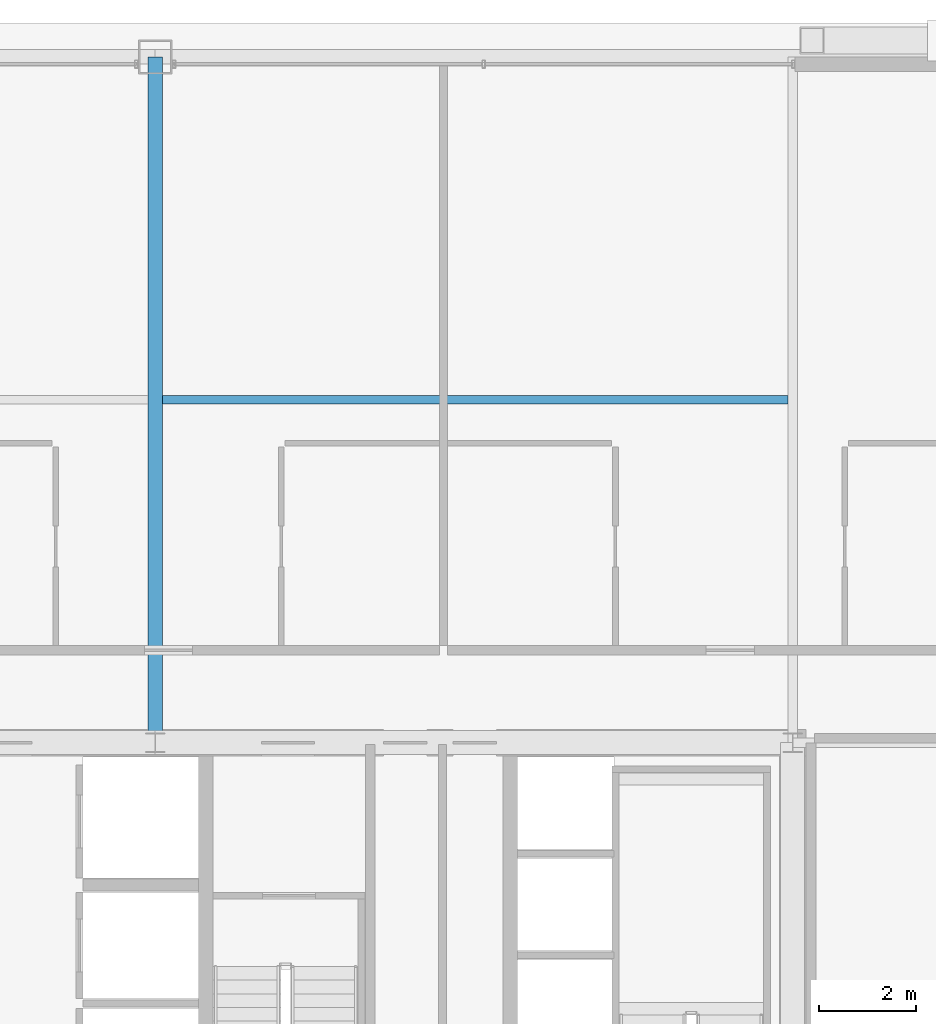
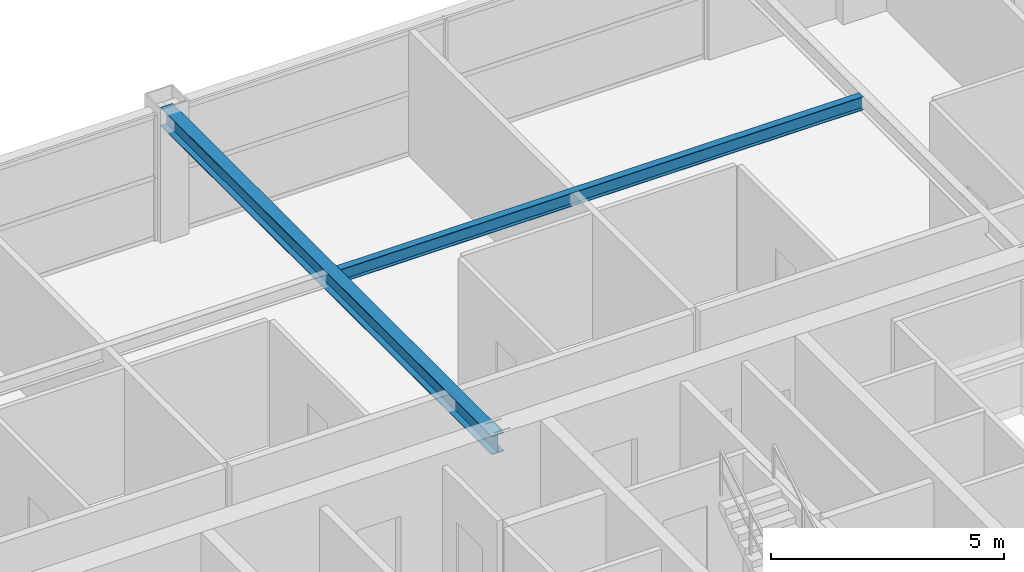
# One storey, part 25 of 34: 2 beams.
"""IFC4 building model written with IfcOpenShell, lengths in metres."""

from ifc_helpers import new_model, si_unit, direction, frame, origin, origin_2d, place, context, subcontext, project, spatial, i_section, extrude, source, transform, mapped, material, material_profile, profile_set, type_object, element, save


model = new_model("IFC4")

# Units and contexts
model_context = context("Model", 3, precision=1e-05, world=origin(), true_north=direction((0.0, 1.0)))
body_context = subcontext(model_context, "Body", "Model", "MODEL_VIEW")
ifc_project = project(units=[si_unit("LENGTHUNIT", "METRE"), si_unit("AREAUNIT", "SQUARE_METRE"), si_unit("VOLUMEUNIT", "CUBIC_METRE"), si_unit("PLANEANGLEUNIT", "RADIAN"), si_unit("MASSUNIT", "GRAM", prefix="KILO"), si_unit("THERMODYNAMICTEMPERATUREUNIT", "KELVIN"), si_unit("POWERUNIT", "WATT")], contexts=[model_context])

# Site, building, storey
site_placement = place(None, origin())
site = spatial("IfcSite", under=ifc_project, at=site_placement, CompositionType="ELEMENT")
building_placement = place(site_placement, origin())
building = spatial("IfcBuilding", under=site, at=building_placement, Name="Yuzanri Waterfront Tower", CompositionType="ELEMENT")
storey_placement = place(building_placement, frame((0.0, 0.0, 241.60009765625)))
storey = spatial("IfcBuildingStorey", under=building, at=storey_placement, Name="L64", CompositionType="ELEMENT", Elevation=241.60009765625)

# Beams
ifc_material_1 = material(Name="Steel Q355B", Category="steel")
ifc_material_profile_1 = material_profile(ifc_material_1, i_section(OverallWidth=0.300048828125, OverallDepth=0.488037109375, WebThickness=0.010986328125, FlangeThickness=0.01806640625, at=origin_2d()), Name="HM 488x300x11x18")
ifc_profile_set_1 = profile_set([ifc_material_profile_1], Name="Steel Q355B")
beam_type_1 = type_object("IfcBeamType", Name="Primary Floor Girder Q355B HM 488x300", PredefinedType="BEAM", material=ifc_profile_set_1)
shared_shape_1 = source(origin(), body_context, "Body", "SweptSolid", [
    extrude(i_section(OverallWidth=0.300048828125, OverallDepth=0.488037109375, WebThickness=0.010986328125, FlangeThickness=0.01806640625, at=origin_2d()), origin(), (0.0, 0.0, 1.0), 14.199951171875),
])
beam_1_placement = place(storey_placement, frame((37.0, 32.199951171875, 3.035888671875), z_axis=(0.0, 1.0, 0.0), x_axis=(-1.0, 0.0, 0.0)))
element("IfcBeam", 1, at=beam_1_placement, inside=storey, type_object=beam_type_1, Name="L64 North Grid Girder", PredefinedType="BEAM", context=body_context, shape_type="MappedRepresentation", body=[
    mapped(shared_shape_1, transform((0.0, 0.0, 0.0), scale=1.0)),
])
ifc_material_2 = material(Name="Steel Q355B", Category="steel")
ifc_material_profile_2 = material_profile(ifc_material_2, i_section(OverallWidth=0.175048828125, OverallDepth=0.35009765625, WebThickness=0.007080078125, FlangeThickness=0.010986328125, at=origin_2d()), Name="HN 350x175x7x11")
ifc_profile_set_2 = profile_set([ifc_material_profile_2], Name="Steel Q355B")
beam_type_2 = type_object("IfcBeamType", Name="Floor Joist Q355B HN 350x175", PredefinedType="JOIST", material=ifc_profile_set_2)
shared_shape_2 = source(origin(), body_context, "Body", "SweptSolid", [
    extrude(i_section(OverallWidth=0.175048828125, OverallDepth=0.35009765625, WebThickness=0.007080078125, FlangeThickness=0.010986328125, at=origin_2d()), origin(), (0.0, 0.0, 1.0), 12.9501953125),
])
beam_2_placement = place(storey_placement, frame((37.14990234375, 39.300048828125, 3.10498046875), z_axis=(1.0, 0.0, 0.0), x_axis=(0.0, 1.0, 0.0)))
element("IfcBeam", 2, at=beam_2_placement, inside=storey, type_object=beam_type_2, Name="L64 North Bay Joist E", PredefinedType="JOIST", context=body_context, shape_type="MappedRepresentation", body=[
    mapped(shared_shape_2, transform((0.0, 0.0, 0.0), scale=1.0)),
])

save(model, "model.ifc")
